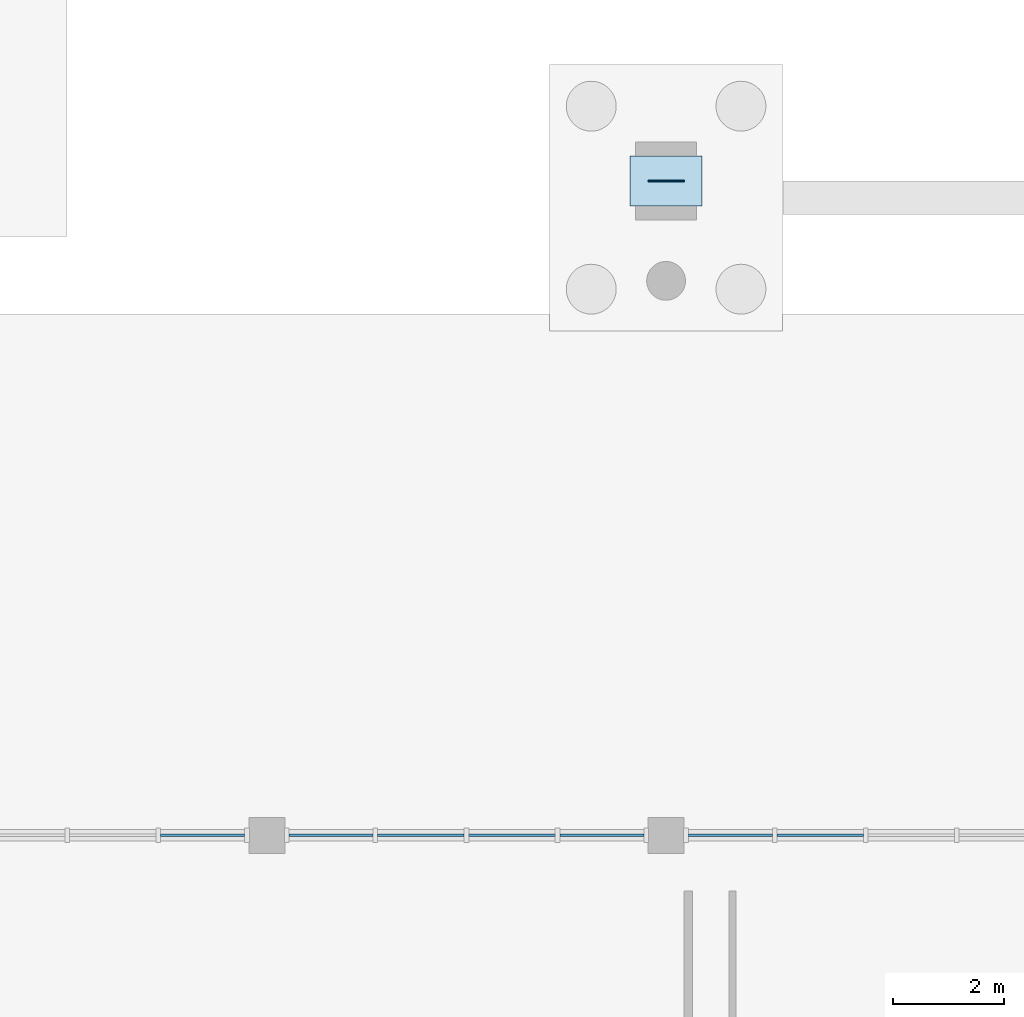
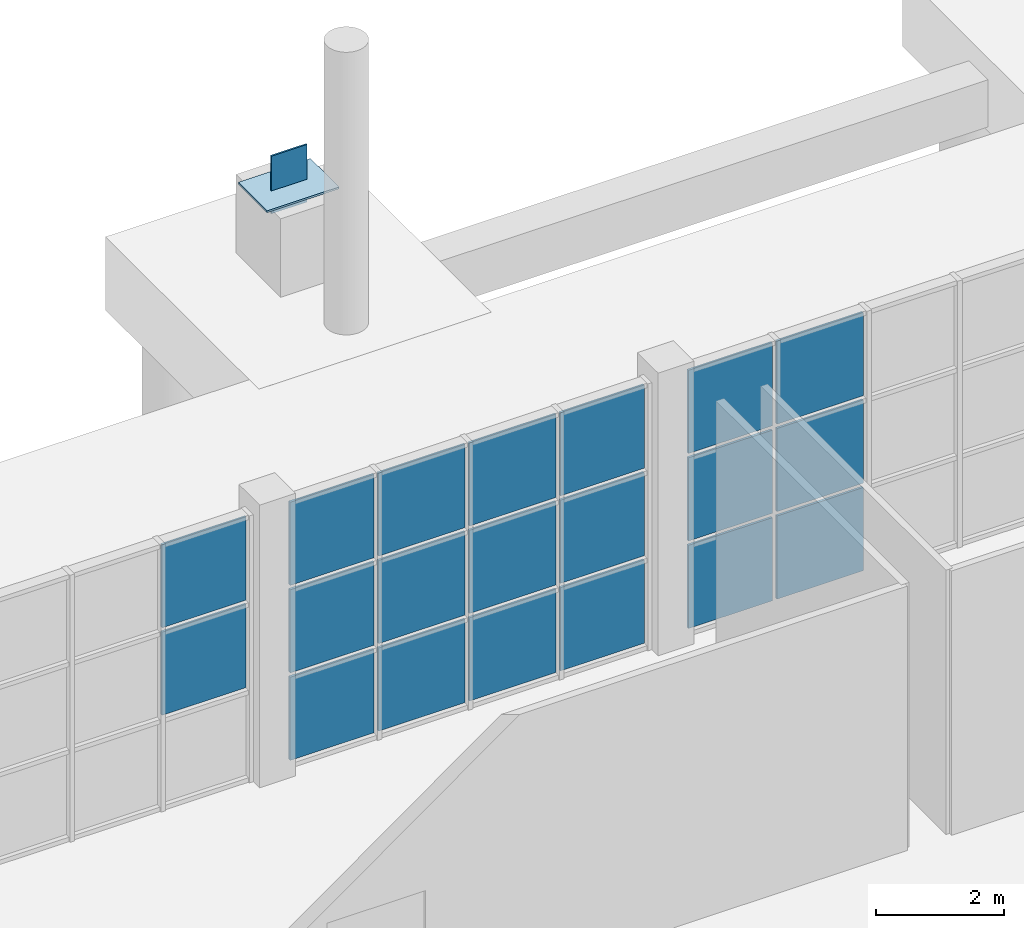
# One storey, part 41 of 75: 22 plates, 3 elements without a shape of their own.
"""IFC4 building model written with IfcOpenShell, lengths in metres."""

from ifc_helpers import new_model, si_unit, direction, frame, origin, origin_2d, place, context, subcontext, project, spatial, rectangle, extrude, material, layer, layer_set, type_object, element, aggregate, save


model = new_model("IFC4")

# Units and contexts
model_context = context("Model", 3, precision=1e-05, world=origin(), true_north=direction((0.0, 1.0)))
body_context = subcontext(model_context, "Body", "Model", "MODEL_VIEW")
ifc_project = project(units=[si_unit("LENGTHUNIT", "METRE"), si_unit("AREAUNIT", "SQUARE_METRE"), si_unit("VOLUMEUNIT", "CUBIC_METRE"), si_unit("PLANEANGLEUNIT", "RADIAN"), si_unit("MASSUNIT", "GRAM", prefix="KILO")], contexts=[model_context])

# Site, building, storey
site_placement = place(None, origin())
site = spatial("IfcSite", under=ifc_project, at=site_placement, CompositionType="ELEMENT")
building_placement = place(site_placement, origin())
building = spatial("IfcBuilding", under=site, at=building_placement, Name="Leyfeld Transit Interchange", CompositionType="ELEMENT")
storey_placement = place(building_placement, origin())
storey = spatial("IfcBuildingStorey", under=building, at=storey_placement, Name="L00", CompositionType="ELEMENT", Elevation=0.0)

# Curtain wall, plates
ifc_material_1 = material(Name="Anodised aluminium EN AW-6060 T66", Category="aluminium")
curtain_wall_type = type_object("IfcCurtainWallType", Name="CW-SYS-ARC-7200", PredefinedType="NOTDEFINED", material=ifc_material_1)
curtain_wall_1_placement = place(storey_placement, origin())
curtain_wall_1 = element("IfcCurtainWall", 1, at=curtain_wall_1_placement, inside=storey, type_object=curtain_wall_type, Name="Curtain Wall CW-L00-014", PredefinedType="NOTDEFINED")
ifc_material_2 = material(Name="Triple low-E insulated glazing", Category="glass")
ifc_layer_1 = layer(ifc_material_2, 0.0439453125, Name="Triple low-E insulated glazing")
ifc_layer_set_1 = layer_set([ifc_layer_1], Name="Triple low-E insulated glazing")
plate_type_1 = type_object("IfcPlateType", Name="CW-PNL-GLZ-44", PredefinedType="CURTAIN_PANEL", material=ifc_layer_set_1)
plate_1_placement = place(storey_placement, frame((49.242431640625, 50.39990234375, 1.75537109375), z_axis=(0.0, 0.0, 1.0), x_axis=(1.0, 0.0, 0.0)))
plate_1 = element("IfcPlate", 2, at=plate_1_placement, type_object=plate_type_1, Name="Glazed Curtain Panel CW-L00-014-P04_2", PredefinedType="CURTAIN_PANEL", context=body_context, shape_type="SweptSolid", body=[
    extrude(rectangle(XDim=1.51806640625, YDim=0.0439453125, at=origin_2d()), origin(), (0.0, 0.0, 1.0), 1.589599609375),
])
plate_2_placement = place(storey_placement, frame((49.242431640625, 50.39990234375, 3.4267578125), z_axis=(0.0, 0.0, 1.0), x_axis=(1.0, 0.0, 0.0)))
plate_2 = element("IfcPlate", 3, at=plate_2_placement, type_object=plate_type_1, Name="Glazed Curtain Panel CW-L00-014-P04_3", PredefinedType="CURTAIN_PANEL", context=body_context, shape_type="SweptSolid", body=[
    extrude(rectangle(XDim=1.51806640625, YDim=0.0439453125, at=origin_2d()), origin(), (0.0, 0.0, 1.0), 1.589599609375),
])
aggregate(curtain_wall_1, [plate_1, plate_2])

curtain_wall_2_placement = place(storey_placement, origin())
curtain_wall_2 = element("IfcCurtainWall", 4, at=curtain_wall_2_placement, inside=storey, type_object=curtain_wall_type, Name="Curtain Wall CW-L00-015", PredefinedType="NOTDEFINED")
plate_3_placement = place(storey_placement, frame((51.5576171875, 50.39990234375, 0.08349609375), z_axis=(0.0, 0.0, 1.0), x_axis=(1.0, 0.0, 0.0)))
plate_3 = element("IfcPlate", 5, at=plate_3_placement, type_object=plate_type_1, Name="Glazed Curtain Panel CW-L00-015-P01_1", PredefinedType="CURTAIN_PANEL", context=body_context, shape_type="SweptSolid", body=[
    extrude(rectangle(XDim=1.51806640625, YDim=0.0439453125, at=origin_2d()), origin(), (0.0, 0.0, 1.0), 1.589599609375),
])
plate_4_placement = place(storey_placement, frame((51.5576171875, 50.39990234375, 1.75537109375), z_axis=(0.0, 0.0, 1.0), x_axis=(1.0, 0.0, 0.0)))
plate_4 = element("IfcPlate", 6, at=plate_4_placement, type_object=plate_type_1, Name="Glazed Curtain Panel CW-L00-015-P01_2", PredefinedType="CURTAIN_PANEL", context=body_context, shape_type="SweptSolid", body=[
    extrude(rectangle(XDim=1.51806640625, YDim=0.0439453125, at=origin_2d()), origin(), (0.0, 0.0, 1.0), 1.589599609375),
])
plate_5_placement = place(storey_placement, frame((51.5576171875, 50.39990234375, 3.4267578125), z_axis=(0.0, 0.0, 1.0), x_axis=(1.0, 0.0, 0.0)))
plate_5 = element("IfcPlate", 7, at=plate_5_placement, type_object=plate_type_1, Name="Glazed Curtain Panel CW-L00-015-P01_3", PredefinedType="CURTAIN_PANEL", context=body_context, shape_type="SweptSolid", body=[
    extrude(rectangle(XDim=1.51806640625, YDim=0.0439453125, at=origin_2d()), origin(), (0.0, 0.0, 1.0), 1.589599609375),
])
plate_6_placement = place(storey_placement, frame((53.1787109375, 50.39990234375, 0.08349609375), z_axis=(0.0, 0.0, 1.0), x_axis=(1.0, 0.0, 0.0)))
plate_6 = element("IfcPlate", 8, at=plate_6_placement, type_object=plate_type_1, Name="Glazed Curtain Panel CW-L00-015-P02_1", PredefinedType="CURTAIN_PANEL", context=body_context, shape_type="SweptSolid", body=[
    extrude(rectangle(XDim=1.560546875, YDim=0.0439453125, at=origin_2d()), origin(), (0.0, 0.0, 1.0), 1.589599609375),
])
plate_7_placement = place(storey_placement, frame((53.1787109375, 50.39990234375, 1.75537109375), z_axis=(0.0, 0.0, 1.0), x_axis=(1.0, 0.0, 0.0)))
plate_7 = element("IfcPlate", 9, at=plate_7_placement, type_object=plate_type_1, Name="Glazed Curtain Panel CW-L00-015-P02_2", PredefinedType="CURTAIN_PANEL", context=body_context, shape_type="SweptSolid", body=[
    extrude(rectangle(XDim=1.560546875, YDim=0.0439453125, at=origin_2d()), origin(), (0.0, 0.0, 1.0), 1.589599609375),
])
plate_8_placement = place(storey_placement, frame((53.1787109375, 50.39990234375, 3.4267578125), z_axis=(0.0, 0.0, 1.0), x_axis=(1.0, 0.0, 0.0)))
plate_8 = element("IfcPlate", 10, at=plate_8_placement, type_object=plate_type_1, Name="Glazed Curtain Panel CW-L00-015-P02_3", PredefinedType="CURTAIN_PANEL", context=body_context, shape_type="SweptSolid", body=[
    extrude(rectangle(XDim=1.560546875, YDim=0.0439453125, at=origin_2d()), origin(), (0.0, 0.0, 1.0), 1.589599609375),
])
plate_9_placement = place(storey_placement, frame((54.8212890625, 50.39990234375, 0.08349609375), z_axis=(0.0, 0.0, 1.0), x_axis=(1.0, 0.0, 0.0)))
plate_9 = element("IfcPlate", 11, at=plate_9_placement, type_object=plate_type_1, Name="Glazed Curtain Panel CW-L00-015-P03_1", PredefinedType="CURTAIN_PANEL", context=body_context, shape_type="SweptSolid", body=[
    extrude(rectangle(XDim=1.560546875, YDim=0.0439453125, at=origin_2d()), origin(), (0.0, 0.0, 1.0), 1.589599609375),
])
plate_10_placement = place(storey_placement, frame((54.8212890625, 50.39990234375, 1.75537109375), z_axis=(0.0, 0.0, 1.0), x_axis=(1.0, 0.0, 0.0)))
plate_10 = element("IfcPlate", 12, at=plate_10_placement, type_object=plate_type_1, Name="Glazed Curtain Panel CW-L00-015-P03_2", PredefinedType="CURTAIN_PANEL", context=body_context, shape_type="SweptSolid", body=[
    extrude(rectangle(XDim=1.560546875, YDim=0.0439453125, at=origin_2d()), origin(), (0.0, 0.0, 1.0), 1.589599609375),
])
plate_11_placement = place(storey_placement, frame((54.8212890625, 50.39990234375, 3.4267578125), z_axis=(0.0, 0.0, 1.0), x_axis=(1.0, 0.0, 0.0)))
plate_11 = element("IfcPlate", 13, at=plate_11_placement, type_object=plate_type_1, Name="Glazed Curtain Panel CW-L00-015-P03_3", PredefinedType="CURTAIN_PANEL", context=body_context, shape_type="SweptSolid", body=[
    extrude(rectangle(XDim=1.560546875, YDim=0.0439453125, at=origin_2d()), origin(), (0.0, 0.0, 1.0), 1.589599609375),
])
plate_12_placement = place(storey_placement, frame((56.4423828125, 50.39990234375, 0.08349609375), z_axis=(0.0, 0.0, 1.0), x_axis=(1.0, 0.0, 0.0)))
plate_12 = element("IfcPlate", 14, at=plate_12_placement, type_object=plate_type_1, Name="Glazed Curtain Panel CW-L00-015-P04_1", PredefinedType="CURTAIN_PANEL", context=body_context, shape_type="SweptSolid", body=[
    extrude(rectangle(XDim=1.51806640625, YDim=0.0439453125, at=origin_2d()), origin(), (0.0, 0.0, 1.0), 1.589599609375),
])
plate_13_placement = place(storey_placement, frame((56.4423828125, 50.39990234375, 1.75537109375), z_axis=(0.0, 0.0, 1.0), x_axis=(1.0, 0.0, 0.0)))
plate_13 = element("IfcPlate", 15, at=plate_13_placement, type_object=plate_type_1, Name="Glazed Curtain Panel CW-L00-015-P04_2", PredefinedType="CURTAIN_PANEL", context=body_context, shape_type="SweptSolid", body=[
    extrude(rectangle(XDim=1.51806640625, YDim=0.0439453125, at=origin_2d()), origin(), (0.0, 0.0, 1.0), 1.589599609375),
])
plate_14_placement = place(storey_placement, frame((56.4423828125, 50.39990234375, 3.4267578125), z_axis=(0.0, 0.0, 1.0), x_axis=(1.0, 0.0, 0.0)))
plate_14 = element("IfcPlate", 16, at=plate_14_placement, type_object=plate_type_1, Name="Glazed Curtain Panel CW-L00-015-P04_3", PredefinedType="CURTAIN_PANEL", context=body_context, shape_type="SweptSolid", body=[
    extrude(rectangle(XDim=1.51806640625, YDim=0.0439453125, at=origin_2d()), origin(), (0.0, 0.0, 1.0), 1.589599609375),
])
aggregate(curtain_wall_2, [plate_3, plate_4, plate_5, plate_6, plate_7, plate_8, plate_9, plate_10, plate_11, plate_12, plate_13, plate_14])

curtain_wall_3_placement = place(storey_placement, origin())
curtain_wall_3 = element("IfcCurtainWall", 17, at=curtain_wall_3_placement, inside=storey, type_object=curtain_wall_type, Name="Curtain Wall CW-L00-016", PredefinedType="NOTDEFINED")
plate_15_placement = place(storey_placement, frame((58.757568359375, 50.39990234375, 0.08349609375), z_axis=(0.0, 0.0, 1.0), x_axis=(1.0, 0.0, 0.0)))
plate_15 = element("IfcPlate", 18, at=plate_15_placement, type_object=plate_type_1, Name="Glazed Curtain Panel CW-L00-016-P01_1", PredefinedType="CURTAIN_PANEL", context=body_context, shape_type="SweptSolid", body=[
    extrude(rectangle(XDim=1.51806640625, YDim=0.0439453125, at=origin_2d()), origin(), (0.0, 0.0, 1.0), 1.589599609375),
])
plate_16_placement = place(storey_placement, frame((58.757568359375, 50.39990234375, 1.75537109375), z_axis=(0.0, 0.0, 1.0), x_axis=(1.0, 0.0, 0.0)))
plate_16 = element("IfcPlate", 19, at=plate_16_placement, type_object=plate_type_1, Name="Glazed Curtain Panel CW-L00-016-P01_2", PredefinedType="CURTAIN_PANEL", context=body_context, shape_type="SweptSolid", body=[
    extrude(rectangle(XDim=1.51806640625, YDim=0.0439453125, at=origin_2d()), origin(), (0.0, 0.0, 1.0), 1.589599609375),
])
plate_17_placement = place(storey_placement, frame((58.757568359375, 50.39990234375, 3.4267578125), z_axis=(0.0, 0.0, 1.0), x_axis=(1.0, 0.0, 0.0)))
plate_17 = element("IfcPlate", 20, at=plate_17_placement, type_object=plate_type_1, Name="Glazed Curtain Panel CW-L00-016-P01_3", PredefinedType="CURTAIN_PANEL", context=body_context, shape_type="SweptSolid", body=[
    extrude(rectangle(XDim=1.51806640625, YDim=0.0439453125, at=origin_2d()), origin(), (0.0, 0.0, 1.0), 1.589599609375),
])
plate_18_placement = place(storey_placement, frame((60.378662109375, 50.39990234375, 0.08349609375), z_axis=(0.0, 0.0, 1.0), x_axis=(1.0, 0.0, 0.0)))
plate_18 = element("IfcPlate", 21, at=plate_18_placement, type_object=plate_type_1, Name="Glazed Curtain Panel CW-L00-016-P02_1", PredefinedType="CURTAIN_PANEL", context=body_context, shape_type="SweptSolid", body=[
    extrude(rectangle(XDim=1.560546875, YDim=0.0439453125, at=origin_2d()), origin(), (0.0, 0.0, 1.0), 1.589599609375),
])
plate_19_placement = place(storey_placement, frame((60.378662109375, 50.39990234375, 1.75537109375), z_axis=(0.0, 0.0, 1.0), x_axis=(1.0, 0.0, 0.0)))
plate_19 = element("IfcPlate", 22, at=plate_19_placement, type_object=plate_type_1, Name="Glazed Curtain Panel CW-L00-016-P02_2", PredefinedType="CURTAIN_PANEL", context=body_context, shape_type="SweptSolid", body=[
    extrude(rectangle(XDim=1.560546875, YDim=0.0439453125, at=origin_2d()), origin(), (0.0, 0.0, 1.0), 1.589599609375),
])
plate_20_placement = place(storey_placement, frame((60.378662109375, 50.39990234375, 3.4267578125), z_axis=(0.0, 0.0, 1.0), x_axis=(1.0, 0.0, 0.0)))
plate_20 = element("IfcPlate", 23, at=plate_20_placement, type_object=plate_type_1, Name="Glazed Curtain Panel CW-L00-016-P02_3", PredefinedType="CURTAIN_PANEL", context=body_context, shape_type="SweptSolid", body=[
    extrude(rectangle(XDim=1.560546875, YDim=0.0439453125, at=origin_2d()), origin(), (0.0, 0.0, 1.0), 1.589599609375),
])
aggregate(curtain_wall_3, [plate_15, plate_16, plate_17, plate_18, plate_19, plate_20])

# Plates
ifc_material_3 = material(Name="Steel S355J2", Category="steel")
ifc_layer_2 = layer(ifc_material_3, 0.035888671875, Name="Steel S355J2")
ifc_layer_set_2 = layer_set([ifc_layer_2], Name="Steel S355J2")
plate_type_2 = type_object("IfcPlateType", Name="PLT-BASE-36", PredefinedType="USERDEFINED", material=ifc_layer_set_2)
plate_21_placement = place(storey_placement, frame((57.60009765625, 62.199951171875, 1.5), z_axis=(0.0, 0.0, 1.0), x_axis=(1.0, 0.0, 0.0)))
element("IfcPlate", 24, at=plate_21_placement, inside=storey, type_object=plate_type_2, Name="Arch Baseplate AR-04 12", ObjectType="BASE_PLATE", PredefinedType="USERDEFINED", context=body_context, shape_type="SweptSolid", body=[
    extrude(rectangle(XDim=1.300048828125, YDim=0.89990234375, at=origin_2d()), origin(), (0.0, 0.0, 1.0), 0.035888671875),
])
ifc_material_4 = material(Name="Steel S355J2 - Ochre Arch", Category="steel")
ifc_layer_3 = layer(ifc_material_4, 0.030029296875, Name="Steel S355J2 - Ochre Arch")
ifc_layer_set_3 = layer_set([ifc_layer_3], Name="Steel S355J2 - Ochre Arch")
plate_type_3 = type_object("IfcPlateType", Name="PLT-CAP-30", PredefinedType="USERDEFINED", material=ifc_layer_set_3)
plate_22_placement = place(storey_placement, frame((57.60009765625, 62.199951171875, 1.099853515625), z_axis=(0.0, 0.0, 1.0), x_axis=(1.0, 0.0, 0.0)))
element("IfcPlate", 25, at=plate_22_placement, inside=storey, type_object=plate_type_3, Name="Arch End Cap Plate AR-04 12", ObjectType="FLANGE_PLATE", PredefinedType="USERDEFINED", context=body_context, shape_type="SweptSolid", body=[
    extrude(rectangle(XDim=0.64990234375, YDim=0.030029296875, at=origin_2d()), origin(), (0.0, 0.0, 1.0), 1.10009765625),
])

save(model, "model.ifc")
